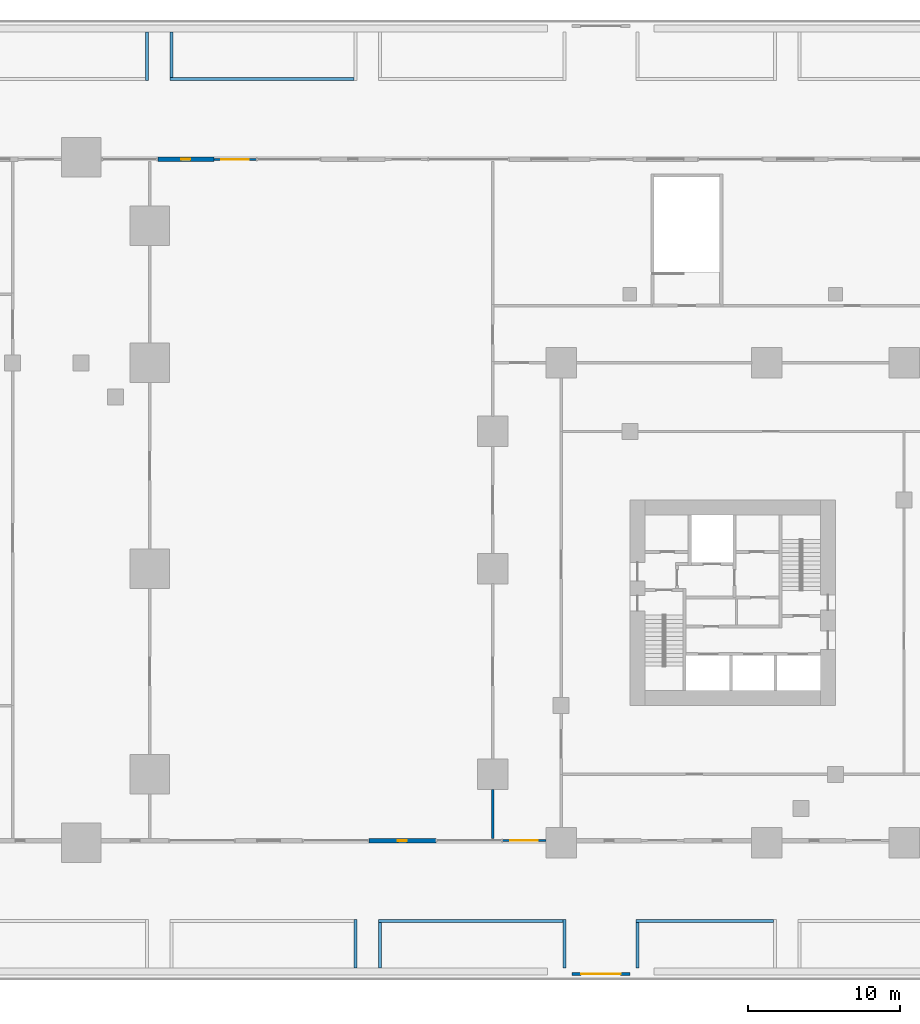
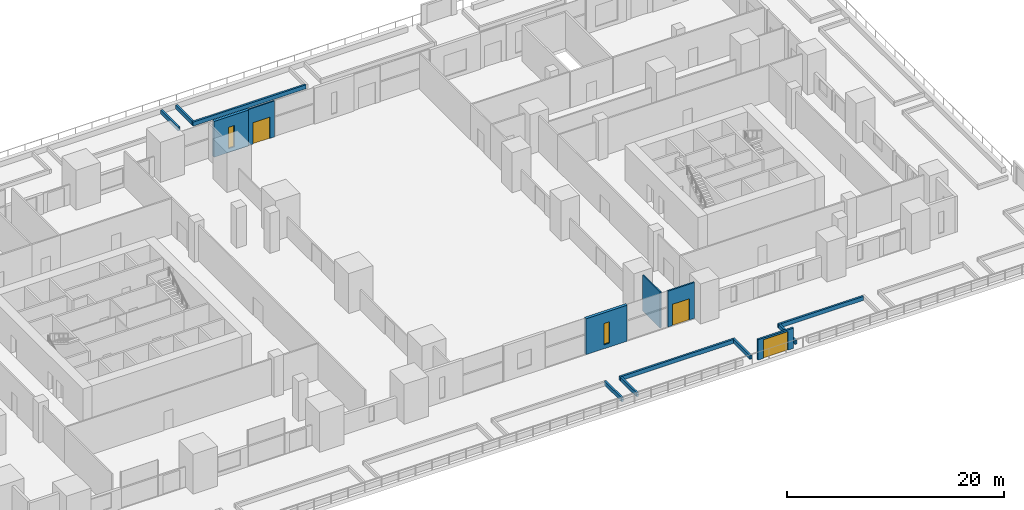
# One storey, part 20 of 26: 15 walls, 3 doors, 2 windows, 5 openings.
"""IFC4 building model written with IfcOpenShell, lengths in metres."""

from ifc_helpers import new_model, si_unit, direction, frame, frame_2d, origin, place, context, subcontext, project, spatial, rectangle, extrude, material, layer, layer_set, type_object, element, fill, save


model = new_model("IFC4")

# Units and contexts
model_context = context("Model", 3, precision=1e-05, world=origin(), true_north=direction((0.0, 1.0)))
body_context = subcontext(model_context, "Body", "Model", "MODEL_VIEW")
ifc_project = project(units=[si_unit("LENGTHUNIT", "METRE"), si_unit("AREAUNIT", "SQUARE_METRE"), si_unit("VOLUMEUNIT", "CUBIC_METRE"), si_unit("PLANEANGLEUNIT", "RADIAN"), si_unit("MASSUNIT", "GRAM", prefix="KILO")], contexts=[model_context])

# Site, building, storey
site_placement = place(None, origin())
site = spatial("IfcSite", under=ifc_project, at=site_placement, CompositionType="ELEMENT")
building_placement = place(site_placement, origin())
building = spatial("IfcBuilding", under=site, at=building_placement, Name="Altepetl Exchange Towers", CompositionType="ELEMENT")
storey_placement = place(building_placement, frame((0.0, 0.0, 16.5)))
storey = spatial("IfcBuildingStorey", under=building, at=storey_placement, Name="L03 Podium terrace", CompositionType="ELEMENT", Elevation=16.5)

# Wall, opening, door
ifc_material_1 = material(Name="Reinforced concrete C35/45", Category="concrete")
ifc_layer_1 = layer(ifc_material_1, 0.199951171875)
ifc_layer_set_1 = layer_set([ifc_layer_1], Name="Reinforced concrete C35/45")
wall_type_1 = type_object("IfcWallType", Name="Garden gate screen wall 200", PredefinedType="SOLIDWALL", material=ifc_layer_set_1)
wall_1_placement = place(storey_placement, frame((99.699951171875, 18.39990234375, 0.0)))
wall_1 = element("IfcWall", 1, at=wall_1_placement, inside=storey, type_object=wall_type_1, Name="wall:P:L03:gateR3", PredefinedType="SOLIDWALL", context=body_context, shape_type="SweptSolid", body=[
    extrude(rectangle(XDim=3.800048828125, YDim=0.199951171875, at=frame_2d((1.89990234375, 0.0))), origin(), (0.0, 0.0, 1.0), 2.300048828125),
])
opening_1_placement = place(wall_1_placement, frame((0.60009765625, 0.0, 0.0)))
opening_1 = element("IfcOpeningElement", 2, at=opening_1_placement, cuts=wall_1, Name="Opening L03.P022", PredefinedType="OPENING", context=body_context, shape_type="SweptSolid", body=[
    extrude(rectangle(XDim=2.60009765625, YDim=2.10009765625, at=frame_2d((1.300048828125, 1.050048828125))), frame((0.0, 0.10986328125, 0.0), z_axis=(0.0, -1.0, 0.0), x_axis=(1.0, 0.0, 0.0)), (0.0, 0.0, 1.0), 0.219970703125),
])
ifc_material_2 = material(Name="Painted steel bars and timber", Category="steel")
door_type_1 = type_object("IfcDoorType", Name="Garden gate 2600 x 2100 double leaf", OperationType="DOUBLE_DOOR_SINGLE_SWING", PredefinedType="GATE", material=ifc_material_2)
door_1_placement = place(opening_1_placement, frame((2.60009765625, 0.0, 0.0), x_axis=(-1.0, 0.0, 0.0)))
door_1 = element("IfcDoor", 3, at=door_1_placement, inside=storey, type_object=door_type_1, Name="door:P:L03:022", OperationType="DOUBLE_DOOR_SINGLE_SWING", OverallHeight=2.10009765625, OverallWidth=2.60009765625, PredefinedType="GATE", context=body_context, shape_type="SweptSolid", body=[
    extrude(rectangle(XDim=2.60009765625, YDim=2.10009765625, at=frame_2d((1.300048828125, 1.050048828125))), frame((0.0, 0.02490234375, 0.0), z_axis=(0.0, -1.0, 0.0), x_axis=(1.0, 0.0, 0.0)), (0.0, 0.0, 1.0), 0.050048828125),
])
fill(opening_1, door_1)

ifc_material_3 = material(Name="Aluminium composite cladding", Category="aluminium")
ifc_layer_2 = layer(ifc_material_3, 0.14990234375)
ifc_layer_set_2 = layer_set([ifc_layer_2], Name="Aluminium composite cladding")
wall_type_2 = type_object("IfcWallType", Name="Infill wall 150 aluminium panel", PredefinedType="SOLIDWALL", material=ifc_layer_set_2)
wall_2_placement = place(storey_placement, frame((95.14990234375, 27.14990234375, 0.0)))
wall_2 = element("IfcWall", 4, at=wall_2_placement, inside=storey, type_object=wall_type_2, Name="Door bay wall", PredefinedType="SOLIDWALL", context=body_context, shape_type="SweptSolid", body=[
    extrude(rectangle(XDim=2.85009765625, YDim=0.14990234375, at=frame_2d((1.425048828125, 0.0))), origin(), (0.0, 0.0, 1.0), 4.050048828125),
])
opening_2_placement = place(wall_2_placement, frame((0.5, 0.0, 0.0)))
opening_2 = element("IfcOpeningElement", 5, at=opening_2_placement, cuts=wall_2, Name="Opening L03.E11", PredefinedType="OPENING", context=body_context, shape_type="SweptSolid", body=[
    extrude(rectangle(XDim=1.800048828125, YDim=2.39990234375, at=frame_2d((0.89990234375, 1.199951171875))), frame((0.0, 0.0849609375, 0.0), z_axis=(0.0, -1.0, 0.0), x_axis=(1.0, 0.0, 0.0)), (0.0, 0.0, 1.0), 0.169921875),
])
ifc_material_4 = material(Name="Aluminium 6063-T6 and glass", Category="aluminium")
door_type_2 = type_object("IfcDoorType", Name="Glazed door pair 1800x2400", OperationType="DOUBLE_DOOR_DOUBLE_SWING", PredefinedType="NOTDEFINED", material=ifc_material_4)
door_2_placement = place(opening_2_placement, frame((1.800048828125, 0.0, 0.0), x_axis=(-1.0, 0.0, 0.0)))
door_2 = element("IfcDoor", 6, at=door_2_placement, inside=storey, type_object=door_type_2, Name="Terrace door", OperationType="DOUBLE_DOOR_DOUBLE_SWING", OverallHeight=2.39990234375, OverallWidth=1.800048828125, PredefinedType="NOTDEFINED", context=body_context, shape_type="SweptSolid", body=[
    extrude(rectangle(XDim=1.800048828125, YDim=2.39990234375, at=frame_2d((0.89990234375, 1.199951171875))), frame((0.0, 0.02490234375, 0.0), z_axis=(0.0, -1.0, 0.0), x_axis=(1.0, 0.0, 0.0)), (0.0, 0.0, 1.0), 0.050048828125),
])
fill(opening_2, door_2)

wall_3_placement = place(storey_placement, frame((79.0, 71.85009765625, 0.0), z_axis=(0.0, 0.0, 1.0), x_axis=(-1.0, 0.0, 0.0)))
wall_3 = element("IfcWall", 7, at=wall_3_placement, inside=storey, type_object=wall_type_2, Name="Door bay wall", PredefinedType="SOLIDWALL", context=body_context, shape_type="SweptSolid", body=[
    extrude(rectangle(XDim=2.800048828125, YDim=0.14990234375, at=frame_2d((1.39990234375, 0.0))), origin(), (0.0, 0.0, 1.0), 4.050048828125),
])
opening_3_placement = place(wall_3_placement, frame((0.5, 0.0, 0.0)))
opening_3 = element("IfcOpeningElement", 8, at=opening_3_placement, cuts=wall_3, Name="Opening L03.E01", PredefinedType="OPENING", context=body_context, shape_type="SweptSolid", body=[
    extrude(rectangle(XDim=1.800048828125, YDim=2.39990234375, at=frame_2d((0.89990234375, 1.199951171875))), frame((0.0, 0.0849609375, 0.0), z_axis=(0.0, -1.0, 0.0), x_axis=(1.0, 0.0, 0.0)), (0.0, 0.0, 1.0), 0.169921875),
])
door_3_placement = place(opening_3_placement, frame((1.800048828125, 0.0, 0.0), x_axis=(-1.0, 0.0, 0.0)))
door_3 = element("IfcDoor", 9, at=door_3_placement, inside=storey, type_object=door_type_2, Name="Terrace door", OperationType="DOUBLE_DOOR_DOUBLE_SWING", OverallHeight=2.39990234375, OverallWidth=1.800048828125, PredefinedType="NOTDEFINED", context=body_context, shape_type="SweptSolid", body=[
    extrude(rectangle(XDim=1.800048828125, YDim=2.39990234375, at=frame_2d((0.89990234375, 1.199951171875))), frame((0.0, 0.02490234375, 0.0), z_axis=(0.0, -1.0, 0.0), x_axis=(1.0, 0.0, 0.0)), (0.0, 0.0, 1.0), 0.050048828125),
])
fill(opening_3, door_3)

# Walls
ifc_layer_3 = layer(ifc_material_1, 0.199951171875)
ifc_layer_set_3 = layer_set([ifc_layer_3], Name="Reinforced concrete C35/45")
wall_type_3 = type_object("IfcWallType", Name="Planting bed curb 200", PredefinedType="SOLIDWALL", material=ifc_layer_set_3)
wall_4_placement = place(storey_placement, frame((103.89990234375, 21.875, 0.0)))
element("IfcWall", 10, at=wall_4_placement, inside=storey, type_object=wall_type_3, Name="wall:P:L03:CB01n", PredefinedType="SOLIDWALL", context=body_context, shape_type="SweptSolid", body=[
    extrude(rectangle(XDim=9.041748046875, YDim=0.199951171875, at=frame_2d((4.52099609375, 0.0))), origin(), (0.0, 0.0, 1.0), 0.449951171875),
])
wall_5_placement = place(storey_placement, frame((104.0, 18.77490234375, 0.0), z_axis=(0.0, 0.0, 1.0), x_axis=(0.0, 1.0, 0.0)))
element("IfcWall", 11, at=wall_5_placement, inside=storey, type_object=wall_type_3, Name="wall:P:L03:CB01w", PredefinedType="SOLIDWALL", context=body_context, shape_type="SweptSolid", body=[
    extrude(rectangle(XDim=3.0, YDim=0.199951171875, at=frame_2d((1.5, 0.0))), origin(), (0.0, 0.0, 1.0), 0.449951171875),
])
for number, where, z_axis, x_axis, name in (
    (12, (85.512451171875, 18.77490234375, 0.0), (0.0, 0.0, 1.0), (0.0, 1.0, 0.0), "wall:P:L03:CB08e"),
    (13, (99.199951171875, 18.77490234375, 0.0), (0.0, 0.0, 1.0), (0.0, 1.0, 0.0), "wall:P:L03:CB09e"),
):
    element("IfcWall", number, at=place(storey_placement, frame(where, z_axis=z_axis, x_axis=x_axis)), inside=storey, type_object=wall_type_3, Name=name, PredefinedType="SOLIDWALL", context=body_context, shape_type="SweptSolid", body=[
        extrude(rectangle(XDim=3.2001953125, YDim=0.199951171875, at=frame_2d((1.60009765625, 0.0))), origin(), (0.0, 0.0, 1.0), 0.449951171875),
    ])
wall_6_placement = place(storey_placement, frame((87.012451171875, 21.875, 0.0)))
element("IfcWall", 14, at=wall_6_placement, inside=storey, type_object=wall_type_3, Name="wall:P:L03:CB09n", PredefinedType="SOLIDWALL", context=body_context, shape_type="SweptSolid", body=[
    extrude(rectangle(XDim=12.087646484375, YDim=0.199951171875, at=frame_2d((6.0439453125, 0.0))), origin(), (0.0, 0.0, 1.0), 0.449951171875),
])
wall_7_placement = place(storey_placement, frame((87.112548828125, 18.77490234375, 0.0), z_axis=(0.0, 0.0, 1.0), x_axis=(0.0, 1.0, 0.0)))
element("IfcWall", 15, at=wall_7_placement, inside=storey, type_object=wall_type_3, Name="wall:P:L03:CB09w", PredefinedType="SOLIDWALL", context=body_context, shape_type="SweptSolid", body=[
    extrude(rectangle(XDim=3.0, YDim=0.199951171875, at=frame_2d((1.5, 0.0))), origin(), (0.0, 0.0, 1.0), 0.449951171875),
])
wall_8_placement = place(storey_placement, frame((71.824951171875, 77.02490234375, 0.0), z_axis=(0.0, 0.0, 1.0), x_axis=(0.0, 1.0, 0.0)))
element("IfcWall", 16, at=wall_8_placement, inside=storey, type_object=wall_type_3, Name="wall:P:L03:CB16e", PredefinedType="SOLIDWALL", context=body_context, shape_type="SweptSolid", body=[
    extrude(rectangle(XDim=3.2001953125, YDim=0.199951171875, at=frame_2d((1.60009765625, 0.0))), origin(), (0.0, 0.0, 1.0), 0.449951171875),
])
wall_9_placement = place(storey_placement, frame((73.324951171875, 77.125, 0.0)))
element("IfcWall", 17, at=wall_9_placement, inside=storey, type_object=wall_type_3, Name="wall:P:L03:CB17s", PredefinedType="SOLIDWALL", context=body_context, shape_type="SweptSolid", body=[
    extrude(rectangle(XDim=12.087646484375, YDim=0.199951171875, at=frame_2d((6.0439453125, 0.0))), origin(), (0.0, 0.0, 1.0), 0.449951171875),
])
wall_10_placement = place(storey_placement, frame((73.425048828125, 77.22509765625, 0.0), z_axis=(0.0, 0.0, 1.0), x_axis=(0.0, 1.0, 0.0)))
element("IfcWall", 18, at=wall_10_placement, inside=storey, type_object=wall_type_3, Name="wall:P:L03:CB17w", PredefinedType="SOLIDWALL", context=body_context, shape_type="SweptSolid", body=[
    extrude(rectangle(XDim=3.0, YDim=0.199951171875, at=frame_2d((1.5, 0.0))), origin(), (0.0, 0.0, 1.0), 0.449951171875),
])
ifc_material_5 = material(Name="Gypsum board on steel studs", Category="steel")
ifc_layer_4 = layer(ifc_material_5, 0.14990234375)
ifc_layer_set_4 = layer_set([ifc_layer_4], Name="Gypsum board on steel studs")
wall_type_4 = type_object("IfcWallType", Name="Podium partition 150", PredefinedType="PARTITIONING", material=ifc_layer_set_4)
wall_11_placement = place(storey_placement, frame((94.5, 27.300048828125, 0.0), z_axis=(0.0, 0.0, 1.0), x_axis=(0.0, 1.0, 0.0)))
element("IfcWall", 19, at=wall_11_placement, inside=storey, type_object=wall_type_4, Name="wall:P:L03:P006", PredefinedType="PARTITIONING", context=body_context, shape_type="SweptSolid", body=[
    extrude(rectangle(XDim=3.204833984375, YDim=0.14990234375, at=frame_2d((1.6025390625, 0.0))), origin(), (0.0, 0.0, 1.0), 4.050048828125),
])

# Wall, opening, window
ifc_material_6 = material(Name="Cantera limestone cladding", Category="masonry")
ifc_layer_5 = layer(ifc_material_6, 0.300048828125)
ifc_layer_set_5 = layer_set([ifc_layer_5], Name="Cantera limestone cladding")
wall_type_5 = type_object("IfcWallType", Name="Stone wall panel 300", PredefinedType="ELEMENTEDWALL", material=ifc_layer_set_5)
wall_12_placement = place(storey_placement, frame((86.38330078125, 27.14990234375, 0.0)))
wall_12 = element("IfcWall", 20, at=wall_12_placement, inside=storey, type_object=wall_type_5, Name="Stone wall panel", PredefinedType="ELEMENTEDWALL", context=body_context, shape_type="SweptSolid", body=[
    extrude(rectangle(XDim=4.38330078125, YDim=0.300048828125, at=frame_2d((2.191650390625, 0.0))), origin(), (0.0, 0.0, 1.0), 4.050048828125),
])
opening_4_placement = place(wall_12_placement, frame((1.8916015625, 0.0, 0.449951171875)))
opening_4 = element("IfcOpeningElement", 21, at=opening_4_placement, cuts=wall_12, Name="Opening W3", PredefinedType="OPENING", context=body_context, shape_type="SweptSolid", body=[
    extrude(rectangle(XDim=0.60009765625, YDim=2.39990234375, at=frame_2d((0.300048828125, 1.199951171875))), frame((0.0, 0.16015625, 0.0), z_axis=(0.0, -1.0, 0.0), x_axis=(1.0, 0.0, 0.0)), (0.0, 0.0, 1.0), 0.320068359375),
])
window_type = type_object("IfcWindowType", Name="Tall slot window 600x2400", PartitioningType="SINGLE_PANEL", PredefinedType="WINDOW", material=ifc_material_4)
window_1_placement = place(opening_4_placement, origin())
window_1 = element("IfcWindow", 22, at=window_1_placement, inside=storey, type_object=window_type, Name="Window", OverallHeight=2.39990234375, OverallWidth=0.60009765625, PartitioningType="SINGLE_PANEL", PredefinedType="WINDOW", context=body_context, shape_type="SweptSolid", body=[
    extrude(rectangle(XDim=0.60009765625, YDim=2.39990234375, at=frame_2d((0.300048828125, 1.199951171875))), frame((0.0, 0.030029296875, 0.0), z_axis=(0.0, -1.0, 0.0), x_axis=(1.0, 0.0, 0.0)), (0.0, 0.0, 1.0), 0.06005859375),
])
fill(opening_4, window_1)

wall_13_placement = place(storey_placement, frame((76.199951171875, 71.85009765625, 0.0), z_axis=(0.0, 0.0, 1.0), x_axis=(-1.0, 0.0, 0.0)))
wall_13 = element("IfcWall", 23, at=wall_13_placement, inside=storey, type_object=wall_type_5, Name="Stone wall panel", PredefinedType="ELEMENTEDWALL", context=body_context, shape_type="SweptSolid", body=[
    extrude(rectangle(XDim=3.675048828125, YDim=0.300048828125, at=frame_2d((1.83740234375, 0.0))), origin(), (0.0, 0.0, 1.0), 4.050048828125),
])
opening_5_placement = place(wall_13_placement, frame((1.53759765625, 0.0, 0.449951171875)))
opening_5 = element("IfcOpeningElement", 24, at=opening_5_placement, cuts=wall_13, Name="Opening W3", PredefinedType="OPENING", context=body_context, shape_type="SweptSolid", body=[
    extrude(rectangle(XDim=0.60009765625, YDim=2.39990234375, at=frame_2d((0.300048828125, 1.199951171875))), frame((0.0, 0.16015625, 0.0), z_axis=(0.0, -1.0, 0.0), x_axis=(1.0, 0.0, 0.0)), (0.0, 0.0, 1.0), 0.320068359375),
])
window_2_placement = place(opening_5_placement, origin())
window_2 = element("IfcWindow", 25, at=window_2_placement, inside=storey, type_object=window_type, Name="Window", OverallHeight=2.39990234375, OverallWidth=0.60009765625, PartitioningType="SINGLE_PANEL", PredefinedType="WINDOW", context=body_context, shape_type="SweptSolid", body=[
    extrude(rectangle(XDim=0.60009765625, YDim=2.39990234375, at=frame_2d((0.300048828125, 1.199951171875))), frame((0.0, 0.030029296875, 0.0), z_axis=(0.0, -1.0, 0.0), x_axis=(1.0, 0.0, 0.0)), (0.0, 0.0, 1.0), 0.06005859375),
])
fill(opening_5, window_2)

save(model, "model.ifc")
